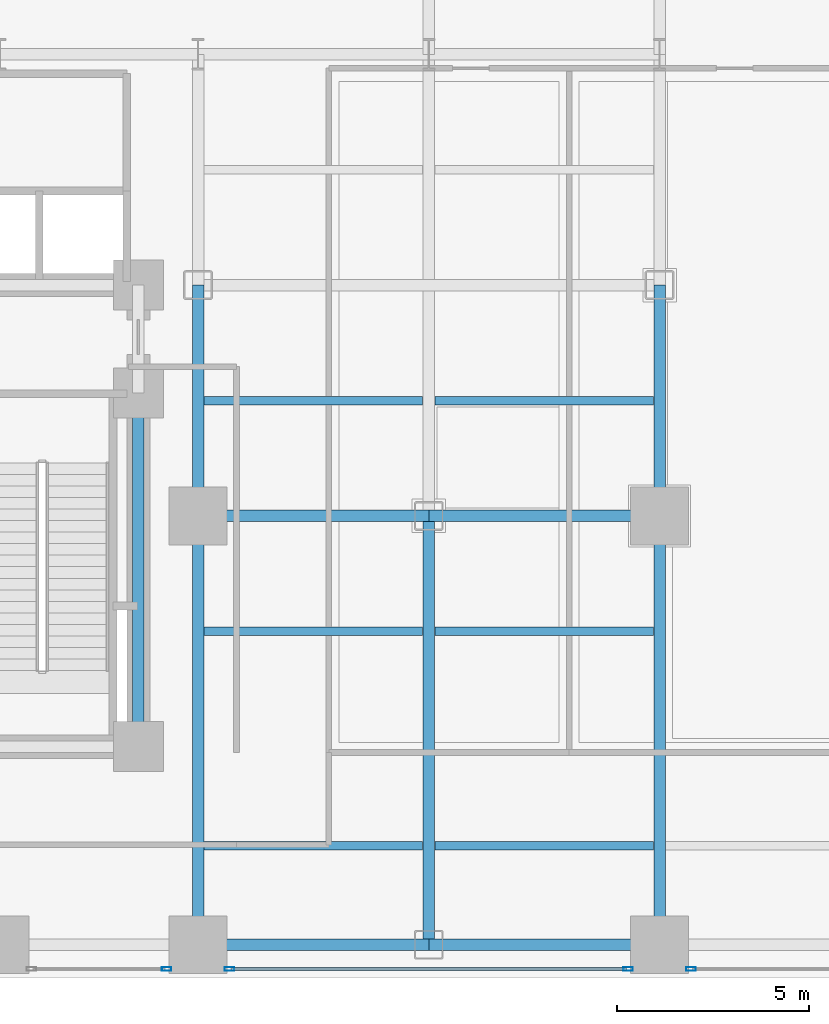
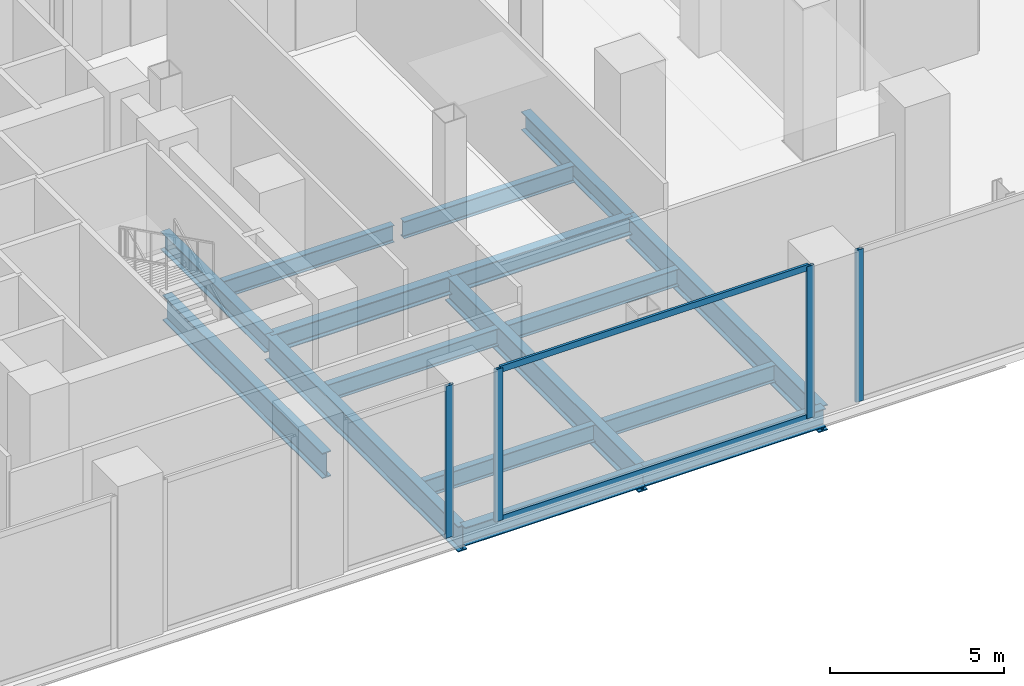
# One storey, part 9 of 27: 16 beams, 6 members, 3 elements without a shape of their own.
"""IFC4 building model written with IfcOpenShell, lengths in metres."""

from ifc_helpers import new_model, si_unit, direction, frame, origin, origin_2d, place, context, subcontext, project, spatial, hollow_rectangle, i_section, extrude, material, layer, layer_set, material_profile, profile_set, type_object, element, aggregate, save


model = new_model("IFC4")

# Units and contexts
model_context = context("Model", 3, precision=1e-05, world=origin(), true_north=direction((0.0, 1.0)))
body_context = subcontext(model_context, "Body", "Model", "MODEL_VIEW")
ifc_project = project(units=[si_unit("LENGTHUNIT", "METRE"), si_unit("AREAUNIT", "SQUARE_METRE"), si_unit("VOLUMEUNIT", "CUBIC_METRE"), si_unit("PLANEANGLEUNIT", "RADIAN"), si_unit("MASSUNIT", "GRAM", prefix="KILO"), si_unit("THERMODYNAMICTEMPERATUREUNIT", "KELVIN"), si_unit("POWERUNIT", "WATT")], contexts=[model_context])

# Site, building, storey
site_placement = place(None, origin())
site = spatial("IfcSite", under=ifc_project, at=site_placement, CompositionType="ELEMENT")
building_placement = place(site_placement, origin())
building = spatial("IfcBuilding", under=site, at=building_placement, Name="Svarakhadi Broadcast Tower", CompositionType="ELEMENT")
storey_placement = place(building_placement, frame((0.0, 0.0, 21.89990234375)))
storey = spatial("IfcBuildingStorey", under=building, at=storey_placement, Name="L04", CompositionType="ELEMENT", Elevation=21.89990234375)

# Beams
ifc_material_1 = material(Name="Steel S355J2 (IS 2062 E350C)", Category="steel")
ifc_material_profile_1 = material_profile(ifc_material_1, i_section(OverallWidth=0.219970703125, OverallDepth=0.60009765625, WebThickness=0.011962890625, FlangeThickness=0.01904296875, FilletRadius=0.02392578125, at=origin_2d()), Name="NPB 600x220x122")
ifc_profile_set_1 = profile_set([ifc_material_profile_1], Name="Steel S355J2 (IS 2062 E350C)")
beam_type_1 = type_object("IfcBeamType", Name="Beam_NPB600", PredefinedType="BEAM", material=ifc_profile_set_1)
for number, where, z_axis, x_axis, name in (
    (1, (35.31005859375, 3.425048828125, -0.574951171875), (1.0, 0.0, 0.0), (0.0, 1.0, 0.0), "L04 Secondary Composite Beam SB017"),
    (2, (35.31005859375, 9.0, -0.574951171875), (1.0, 0.0, 0.0), (0.0, 1.0, 0.0), "L04 Secondary Composite Beam SB018"),
    (3, (35.31005859375, 15.0, -0.574951171875), (1.0, 0.0, 0.0), (0.0, 1.0, 0.0), "L04 Secondary Composite Beam SB019"),
    (4, (41.31005859375, 3.425048828125, -0.574951171875), (1.0, 0.0, 0.0), (0.0, 1.0, 0.0), "L04 Secondary Composite Beam SB021"),
    (5, (41.31005859375, 9.0, -0.574951171875), (1.0, 0.0, 0.0), (0.0, 1.0, 0.0), "L04 Secondary Composite Beam SB022"),
    (6, (41.31005859375, 15.0, -0.574951171875), (1.0, 0.0, 0.0), (0.0, 1.0, 0.0), "L04 Secondary Composite Beam SB023"),
):
    element("IfcBeam", number, at=place(storey_placement, frame(where, z_axis=z_axis, x_axis=x_axis)), inside=storey, type_object=beam_type_1, Name=name, PredefinedType="BEAM", context=body_context, shape_type="SweptSolid", body=[
        extrude(i_section(OverallWidth=0.219970703125, OverallDepth=0.60009765625, WebThickness=0.011962890625, FlangeThickness=0.01904296875, FilletRadius=0.02392578125, at=origin_2d()), origin(), (0.0, 0.0, 1.0), 5.679931640625),
    ])

# Curtain wall, member
ifc_material_2 = material(Name="Anodised Bronze Aluminium AA 6063-T6", Category="aluminium")
ifc_layer = layer(ifc_material_2, 0.25)
ifc_layer_set = layer_set([ifc_layer], Name="Anodised Bronze Aluminium AA 6063-T6")
curtain_wall_type = type_object("IfcCurtainWallType", Name="CW_Sys_01", PredefinedType="NOTDEFINED", material=ifc_layer_set)
curtain_wall_1_placement = place(storey_placement, origin())
curtain_wall_1 = element("IfcCurtainWall", 7, at=curtain_wall_1_placement, inside=storey, type_object=curtain_wall_type, Name="L04 South Curtain Wall 11 Bay 1", PredefinedType="NOTDEFINED")
ifc_material_profile_2 = material_profile(ifc_material_2, hollow_rectangle(XDim=0.094970703125, YDim=0.25, WallThickness=0.006103515625, at=origin_2d()), Name="ALU MULLION 250x95x6")
ifc_profile_set_2 = profile_set([ifc_material_profile_2], Name="Anodised Bronze Aluminium AA 6063-T6")
member_type_1 = type_object("IfcMemberType", Name="CW_Sys_01_Mul", PredefinedType="MULLION", material=ifc_profile_set_2)
member_1_placement = place(storey_placement, frame((47.967529296875, 0.219970703125, 0.0), z_axis=(0.0, 0.0, 1.0), x_axis=(0.0, -1.0, 0.0)))
member_1 = element("IfcMember", 8, at=member_1_placement, type_object=member_type_1, Name="CW-01 mullion 3", PredefinedType="MULLION", context=body_context, shape_type="SweptSolid", body=[
    extrude(hollow_rectangle(XDim=0.094970703125, YDim=0.25, WallThickness=0.006103515625, at=origin_2d()), origin(), (0.0, 0.0, 1.0), 5.35009765625),
])
aggregate(curtain_wall_1, [member_1])

# Curtain wall, members
curtain_wall_2_placement = place(storey_placement, origin())
curtain_wall_2 = element("IfcCurtainWall", 9, at=curtain_wall_2_placement, inside=storey, type_object=curtain_wall_type, Name="L04 South Curtain Wall 11 Bay 2", PredefinedType="NOTDEFINED")
member_2_placement = place(storey_placement, frame((46.33251953125, 0.219970703125, 0.0), z_axis=(0.0, 0.0, 1.0), x_axis=(0.0, -1.0, 0.0)))
member_2 = element("IfcMember", 10, at=member_2_placement, type_object=member_type_1, Name="CW-01 mullion 1", PredefinedType="MULLION", context=body_context, shape_type="SweptSolid", body=[
    extrude(hollow_rectangle(XDim=0.094970703125, YDim=0.25, WallThickness=0.006103515625, at=origin_2d()), origin(), (0.0, 0.0, 1.0), 5.35009765625),
])
member_3_placement = place(storey_placement, frame((35.967529296875, 0.219970703125, 0.0), z_axis=(0.0, 0.0, 1.0), x_axis=(0.0, -1.0, 0.0)))
member_3 = element("IfcMember", 11, at=member_3_placement, type_object=member_type_1, Name="CW-01 mullion 2", PredefinedType="MULLION", context=body_context, shape_type="SweptSolid", body=[
    extrude(hollow_rectangle(XDim=0.094970703125, YDim=0.25, WallThickness=0.006103515625, at=origin_2d()), origin(), (0.0, 0.0, 1.0), 5.35009765625),
])

# Curtain wall, member
curtain_wall_3_placement = place(storey_placement, origin())
curtain_wall_3 = element("IfcCurtainWall", 12, at=curtain_wall_3_placement, inside=storey, type_object=curtain_wall_type, Name="L04 South Curtain Wall 11 Bay 3", PredefinedType="NOTDEFINED")
member_4_placement = place(storey_placement, frame((34.33251953125, 0.219970703125, 0.0), z_axis=(0.0, 0.0, 1.0), x_axis=(0.0, -1.0, 0.0)))
member_4 = element("IfcMember", 13, at=member_4_placement, type_object=member_type_1, Name="CW-01 mullion 1", PredefinedType="MULLION", context=body_context, shape_type="SweptSolid", body=[
    extrude(hollow_rectangle(XDim=0.094970703125, YDim=0.25, WallThickness=0.006103515625, at=origin_2d()), origin(), (0.0, 0.0, 1.0), 5.35009765625),
])
aggregate(curtain_wall_3, [member_4])

# Member
ifc_material_profile_3 = material_profile(ifc_material_2, hollow_rectangle(XDim=0.0849609375, YDim=0.219970703125, WallThickness=0.0048828125, at=origin_2d()), Name="ALU TRANSOM 220x85x5")
ifc_profile_set_3 = profile_set([ifc_material_profile_3], Name="Anodised Bronze Aluminium AA 6063-T6")
member_type_2 = type_object("IfcMemberType", Name="CW_Sys_01_Trn", PredefinedType="USERDEFINED", material=ifc_profile_set_3)
member_5_placement = place(storey_placement, frame((46.284912109375, 0.219970703125, 0.04248046875), z_axis=(-1.0, 0.0, 0.0), x_axis=(0.0, -1.0, 0.0)))
member_5 = element("IfcMember", 14, at=member_5_placement, type_object=member_type_2, Name="CW-01 transom 1.1", ObjectType="TRANSOM", PredefinedType="USERDEFINED", context=body_context, shape_type="SweptSolid", body=[
    extrude(hollow_rectangle(XDim=0.0849609375, YDim=0.219970703125, WallThickness=0.0048828125, at=origin_2d()), origin(), (0.0, 0.0, 1.0), 10.27001953125),
])

member_6_placement = place(storey_placement, frame((46.284912109375, 0.219970703125, 5.3076171875), z_axis=(-1.0, 0.0, 0.0), x_axis=(0.0, -1.0, 0.0)))
member_6 = element("IfcMember", 15, at=member_6_placement, type_object=member_type_2, Name="CW-01 transom 1.2", ObjectType="TRANSOM", PredefinedType="USERDEFINED", context=body_context, shape_type="SweptSolid", body=[
    extrude(hollow_rectangle(XDim=0.0849609375, YDim=0.219970703125, WallThickness=0.0048828125, at=origin_2d()), origin(), (0.0, 0.0, 1.0), 10.27001953125),
])

aggregate(curtain_wall_2, [member_2, member_3, member_5, member_6])

# Beams
ifc_material_profile_4 = material_profile(ifc_material_1, i_section(OverallWidth=0.300048828125, OverallDepth=0.64990234375, WebThickness=0.01611328125, FlangeThickness=0.031005859375, FilletRadius=0.027099609375, at=origin_2d()), Name="WPB 650x300x225")
ifc_profile_set_4 = profile_set([ifc_material_profile_4], Name="Steel S355J2 (IS 2062 E350C)")
beam_type_2 = type_object("IfcBeamType", Name="Girder_WPB650", PredefinedType="USERDEFINED", material=ifc_profile_set_4)
for number, where, z_axis, x_axis, name in (
    (16, (35.14990234375, 0.85009765625, -0.599853515625), (1.0, 0.0, 0.0), (0.0, 1.0, 0.0), "L04 Primary E-W Girder G009"),
    (17, (41.14990234375, 0.85009765625, -0.599853515625), (1.0, 0.0, 0.0), (0.0, 1.0, 0.0), "L04 Primary E-W Girder G010"),
    (18, (35.14990234375, 12.0, -0.599853515625), (1.0, 0.0, 0.0), (0.0, 1.0, 0.0), "L04 Primary E-W Girder G018"),
    (19, (41.14990234375, 12.0, -0.599853515625), (1.0, 0.0, 0.0), (0.0, 1.0, 0.0), "L04 Primary E-W Girder G019"),
    (20, (35.14990234375, 12.0, -0.599853515625), (0.0, 1.0, 0.0), (-1.0, 0.0, 0.0), "L04 Primary N-S Girder G073"),
    (21, (47.14990234375, 12.0, -0.599853515625), (0.0, 1.0, 0.0), (-1.0, 0.0, 0.0), "L04 Primary N-S Girder G080"),
):
    element("IfcBeam", number, at=place(storey_placement, frame(where, z_axis=z_axis, x_axis=x_axis)), inside=storey, type_object=beam_type_2, Name=name, ObjectType="GIRDER", PredefinedType="USERDEFINED", context=body_context, shape_type="SweptSolid", body=[
        extrude(i_section(OverallWidth=0.300048828125, OverallDepth=0.64990234375, WebThickness=0.01611328125, FlangeThickness=0.031005859375, FilletRadius=0.027099609375, at=origin_2d()), origin(), (0.0, 0.0, 1.0), 6.0),
    ])
ifc_material_3 = material(Name="Steel S460ML (IS 2062 E450BR)", Category="steel")
ifc_material_profile_5 = material_profile(ifc_material_3, i_section(OverallWidth=0.300048828125, OverallDepth=0.89990234375, WebThickness=0.0185546875, FlangeThickness=0.034912109375, FilletRadius=0.030029296875, at=origin_2d()), Name="WPB 900x300x291")
ifc_profile_set_5 = profile_set([ifc_material_profile_5], Name="Steel S460ML (IS 2062 E450BR)")
beam_type_3 = type_object("IfcBeamType", Name="Girder_WPB900", PredefinedType="USERDEFINED", material=ifc_profile_set_5)
beam_placement = place(storey_placement, frame((33.60009765625, 6.0, -0.724853515625), z_axis=(0.0, 1.0, 0.0), x_axis=(-1.0, 0.0, 0.0)))
element("IfcBeam", 22, at=beam_placement, inside=storey, type_object=beam_type_3, Name="L04 Primary N-S Girder G070", ObjectType="GIRDER", PredefinedType="USERDEFINED", context=body_context, shape_type="SweptSolid", body=[
    extrude(i_section(OverallWidth=0.300048828125, OverallDepth=0.89990234375, WebThickness=0.0185546875, FlangeThickness=0.034912109375, FilletRadius=0.030029296875, at=origin_2d()), origin(), (0.0, 0.0, 1.0), 9.199951171875),
])
for number, where, z_axis, x_axis, name in (
    (23, (35.14990234375, 0.85009765625, -0.724853515625), (0.0, 1.0, 0.0), (-1.0, 0.0, 0.0), "L04 Primary N-S Girder G072"),
    (24, (41.14990234375, 0.85009765625, -0.724853515625), (0.0, 1.0, 0.0), (-1.0, 0.0, 0.0), "L04 Primary N-S Girder G075"),
    (25, (47.14990234375, 0.85009765625, -0.724853515625), (0.0, 1.0, 0.0), (-1.0, 0.0, 0.0), "L04 Primary N-S Girder G079"),
):
    element("IfcBeam", number, at=place(storey_placement, frame(where, z_axis=z_axis, x_axis=x_axis)), inside=storey, type_object=beam_type_3, Name=name, ObjectType="GIRDER", PredefinedType="USERDEFINED", context=body_context, shape_type="SweptSolid", body=[
        extrude(i_section(OverallWidth=0.300048828125, OverallDepth=0.89990234375, WebThickness=0.0185546875, FlangeThickness=0.034912109375, FilletRadius=0.030029296875, at=origin_2d()), origin(), (0.0, 0.0, 1.0), 11.14990234375),
    ])

save(model, "model.ifc")
